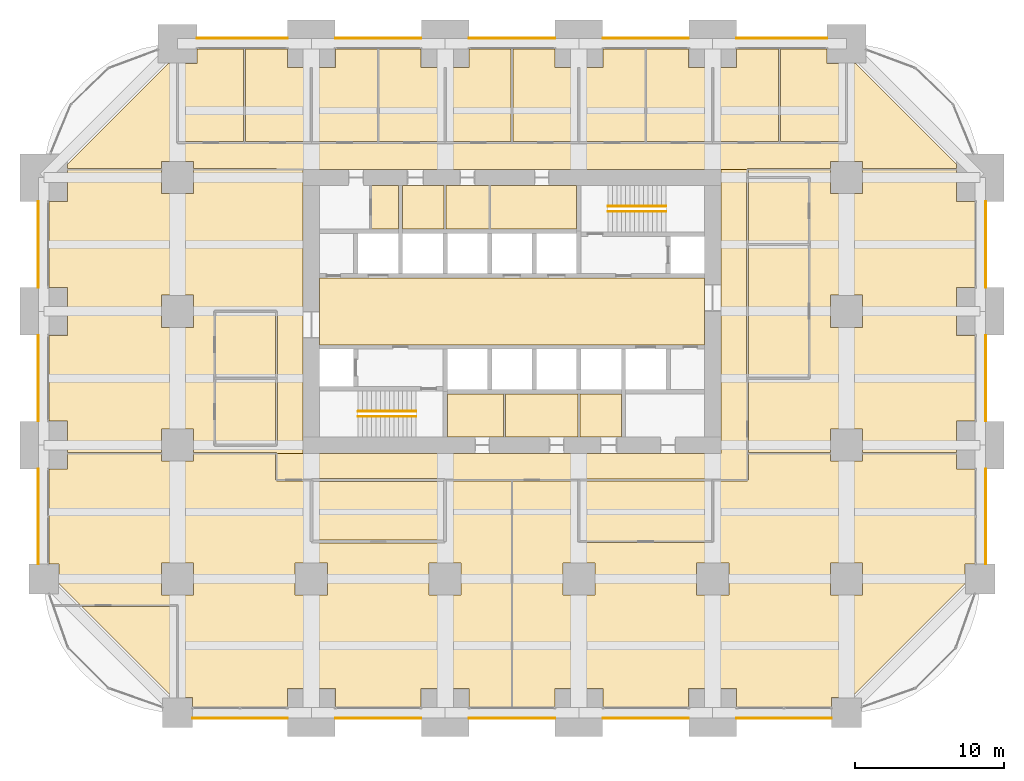
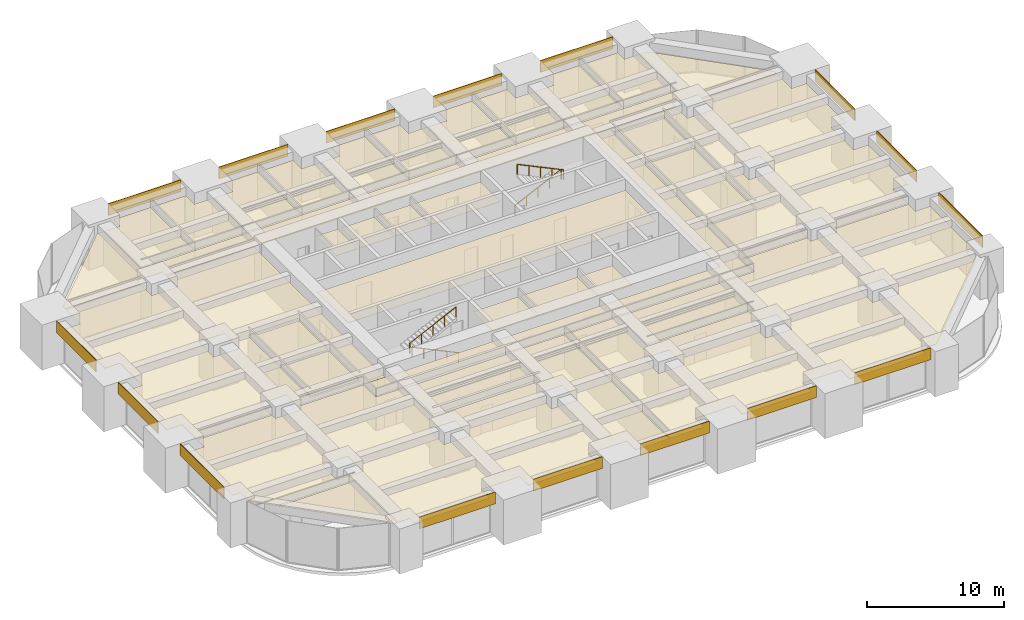
# One storey, part 41 of 41: 47 coverings, 4 railings.
"""IFC4 building model written with IfcOpenShell, lengths in metres."""

from ifc_helpers import new_model, si_unit, direction, frame, frame_2d, origin, origin_2d, place, context, subcontext, project, spatial, polyline, rectangle, circle, outline, extrude, material, layer, layer_set, type_object, element, save


model = new_model("IFC4")

# Units and contexts
model_context = context("Model", 3, precision=1e-05, world=origin(), true_north=direction((0.0, 1.0)))
body_context = subcontext(model_context, "Body", "Model", "MODEL_VIEW")
ifc_project = project(units=[si_unit("LENGTHUNIT", "METRE"), si_unit("AREAUNIT", "SQUARE_METRE"), si_unit("VOLUMEUNIT", "CUBIC_METRE"), si_unit("PLANEANGLEUNIT", "RADIAN"), si_unit("MASSUNIT", "GRAM", prefix="KILO")], contexts=[model_context])

# Site, building, storey
site_placement = place(None, origin())
site = spatial("IfcSite", under=ifc_project, at=site_placement, CompositionType="ELEMENT")
building_placement = place(site_placement, origin())
building = spatial("IfcBuilding", under=site, at=building_placement, Name="Zorevar Civic Tower", CompositionType="ELEMENT")
storey_placement = place(building_placement, frame((0.0, 0.0, 89.0)))
storey = spatial("IfcBuildingStorey", under=building, at=storey_placement, Name="L21", CompositionType="ELEMENT", Elevation=89.0)

# Railings
ifc_material_1 = material(Name="Black steel handrail", Category="steel")
railing_type = type_object("IfcRailingType", Name="Handrail HR1 900", PredefinedType="HANDRAIL", material=ifc_material_1)
railing_1_placement = place(storey_placement, frame((25.050048828125, 19.925048828125, 0.142822265625)))
element("IfcRailing", 1, at=railing_1_placement, inside=storey, type_object=railing_type, Name="Handrail HR1 ST1 L21", PredefinedType="HANDRAIL", context=body_context, shape_type="SweptSolid", body=[
    extrude(circle(Radius=0.02392578125, at=origin_2d()), frame((0.0, 0.0, 0.8759765625), z_axis=(-0.902863652845, 0.0, 0.429926998885), x_axis=(0.0, -1.0, 0.0)), (0.0, 0.0, 1.0), 4.31982421875),
    extrude(circle(Radius=0.02099609375, at=origin_2d()), origin(), (0.0, 0.0, 1.0), 0.851806640625),
    extrude(circle(Radius=0.02099609375, at=origin_2d()), frame((-0.97509765625, 0.0, 0.46435546875)), (0.0, 0.0, 1.0), 0.851806640625),
    extrude(circle(Radius=0.02099609375, at=origin_2d()), frame((-1.9501953125, 0.0, 0.9287109375)), (0.0, 0.0, 1.0), 0.851806640625),
    extrude(circle(Radius=0.02099609375, at=origin_2d()), frame((-2.925048828125, 0.0, 1.392822265625)), (0.0, 0.0, 1.0), 0.851806640625),
    extrude(circle(Radius=0.02099609375, at=origin_2d()), frame((-3.900146484375, 0.0, 1.857177734375)), (0.0, 0.0, 1.0), 0.851806640625),
])
for number, where, name in (
    (2, (21.14990234375, 20.27490234375, 2.142822265625), "Handrail HR1 ST1 L21"),
    (3, (37.949951171875, 34.074951171875, 0.142822265625), "Handrail HR1 ST2 L21"),
):
    element("IfcRailing", number, at=place(storey_placement, frame(where)), inside=storey, type_object=railing_type, Name=name, PredefinedType="HANDRAIL", context=body_context, shape_type="SweptSolid", body=[
        extrude(circle(Radius=0.02392578125, at=origin_2d()), frame((0.0, 0.0, 0.8759765625), z_axis=(0.902863652845, 0.0, 0.429926998885), x_axis=(0.0, 1.0, 0.0)), (0.0, 0.0, 1.0), 4.31982421875),
        extrude(circle(Radius=0.02099609375, at=origin_2d()), origin(), (0.0, 0.0, 1.0), 0.851806640625),
        extrude(circle(Radius=0.02099609375, at=origin_2d()), frame((0.97509765625, 0.0, 0.46435546875)), (0.0, 0.0, 1.0), 0.851806640625),
        extrude(circle(Radius=0.02099609375, at=origin_2d()), frame((1.9501953125, 0.0, 0.9287109375)), (0.0, 0.0, 1.0), 0.851806640625),
        extrude(circle(Radius=0.02099609375, at=origin_2d()), frame((2.925048828125, 0.0, 1.392822265625)), (0.0, 0.0, 1.0), 0.851806640625),
        extrude(circle(Radius=0.02099609375, at=origin_2d()), frame((3.900146484375, 0.0, 1.857177734375)), (0.0, 0.0, 1.0), 0.851806640625),
    ])
railing_2_placement = place(storey_placement, frame((41.85009765625, 33.72509765625, 2.142822265625)))
element("IfcRailing", 4, at=railing_2_placement, inside=storey, type_object=railing_type, Name="Handrail HR1 ST2 L21", PredefinedType="HANDRAIL", context=body_context, shape_type="SweptSolid", body=[
    extrude(circle(Radius=0.02392578125, at=origin_2d()), frame((0.0, 0.0, 0.8759765625), z_axis=(-0.902863652845, 0.0, 0.429926998885), x_axis=(0.0, -1.0, 0.0)), (0.0, 0.0, 1.0), 4.31982421875),
    extrude(circle(Radius=0.02099609375, at=origin_2d()), origin(), (0.0, 0.0, 1.0), 0.851806640625),
    extrude(circle(Radius=0.02099609375, at=origin_2d()), frame((-0.97509765625, 0.0, 0.46435546875)), (0.0, 0.0, 1.0), 0.851806640625),
    extrude(circle(Radius=0.02099609375, at=origin_2d()), frame((-1.9501953125, 0.0, 0.9287109375)), (0.0, 0.0, 1.0), 0.851806640625),
    extrude(circle(Radius=0.02099609375, at=origin_2d()), frame((-2.925048828125, 0.0, 1.392822265625)), (0.0, 0.0, 1.0), 0.851806640625),
    extrude(circle(Radius=0.02099609375, at=origin_2d()), frame((-3.900146484375, 0.0, 1.857177734375)), (0.0, 0.0, 1.0), 0.851806640625),
])

# Coverings
ifc_material_2 = material(Name="Moisture-resistant gypsum board")
ifc_layer_1 = layer(ifc_material_2, 0.012451171875)
ifc_layer_set_1 = layer_set([ifc_layer_1], Name="Moisture-resistant ceiling SC3")
covering_type_1 = type_object("IfcCoveringType", Name="Moisture-resistant ceiling SC3", PredefinedType="CEILING", material=ifc_layer_set_1)
covering_1_placement = place(storey_placement, frame((0.0, 0.0, 3.0)))
element("IfcCovering", 5, at=covering_1_placement, inside=storey, type_object=covering_type_1, Name="Ceiling L21-05", PredefinedType="CEILING", context=body_context, shape_type="SweptSolid", body=[
    extrude(outline(polyline([(30.925048828125, 18.550048828125), (30.925048828125, 21.449951171875), (27.14990234375, 21.449951171875), (27.14990234375, 18.550048828125), (30.925048828125, 18.550048828125)])), origin(), (0.0, 0.0, 1.0), 0.012451171875),
])
covering_2_placement = place(storey_placement, frame((0.0, 0.0, 3.0)))
element("IfcCovering", 6, at=covering_2_placement, inside=storey, type_object=covering_type_1, Name="Ceiling L21-06", PredefinedType="CEILING", context=body_context, shape_type="SweptSolid", body=[
    extrude(outline(polyline([(35.925048828125, 18.550048828125), (35.925048828125, 21.449951171875), (31.074951171875, 21.449951171875), (31.074951171875, 18.550048828125), (35.925048828125, 18.550048828125)])), origin(), (0.0, 0.0, 1.0), 0.012451171875),
])
covering_3_placement = place(storey_placement, frame((0.0, 0.0, 3.0)))
element("IfcCovering", 7, at=covering_3_placement, inside=storey, type_object=covering_type_1, Name="Ceiling L21-07", PredefinedType="CEILING", context=body_context, shape_type="SweptSolid", body=[
    extrude(outline(polyline([(38.85009765625, 18.550048828125), (38.85009765625, 21.449951171875), (36.074951171875, 21.449951171875), (36.074951171875, 18.550048828125), (38.85009765625, 18.550048828125)])), origin(), (0.0, 0.0, 1.0), 0.012451171875),
])
covering_4_placement = place(storey_placement, frame((0.0, 0.0, 3.0)))
element("IfcCovering", 8, at=covering_4_placement, inside=storey, type_object=covering_type_1, Name="Ceiling L21-10", PredefinedType="CEILING", context=body_context, shape_type="SweptSolid", body=[
    extrude(outline(polyline([(26.925048828125, 32.550048828125), (26.925048828125, 35.449951171875), (24.14990234375, 35.449951171875), (24.14990234375, 32.550048828125), (26.925048828125, 32.550048828125)])), origin(), (0.0, 0.0, 1.0), 0.012451171875),
])
ifc_material_3 = material(Name="Black anodised aluminium spandrel panel", Category="aluminium")
ifc_layer_2 = layer(ifc_material_3, 0.050048828125)
ifc_layer_set_2 = layer_set([ifc_layer_2], Name="Spandrel cladding SP1")
covering_type_2 = type_object("IfcCoveringType", Name="Spandrel cladding SP1", PredefinedType="CLADDING", material=ifc_layer_set_2)
covering_5_placement = place(storey_placement, frame((10.0, -0.375, 2.949951171875), z_axis=(0.0, 0.0, 1.0), x_axis=(1.0, 0.0, 0.0)))
element("IfcCovering", 9, at=covering_5_placement, inside=storey, type_object=covering_type_2, Name="Spandrel cladding L22", PredefinedType="CLADDING", context=body_context, shape_type="SweptSolid", body=[
    extrude(rectangle(XDim=6.39990234375, YDim=0.050048828125, at=frame_2d((3.199951171875, 0.0))), origin(), (0.0, 0.0, 1.0), 1.050048828125),
])
for number, where, z_axis, x_axis, name in (
    (10, (19.60009765625, -0.375, 2.949951171875), (0.0, 0.0, 1.0), (1.0, 0.0, 0.0), "Spandrel cladding L22"),
    (11, (28.60009765625, -0.375, 2.949951171875), (0.0, 0.0, 1.0), (1.0, 0.0, 0.0), "Spandrel cladding L22"),
    (12, (37.60009765625, -0.375, 2.949951171875), (0.0, 0.0, 1.0), (1.0, 0.0, 0.0), "Spandrel cladding L22"),
):
    element("IfcCovering", number, at=place(storey_placement, frame(where, z_axis=z_axis, x_axis=x_axis)), inside=storey, type_object=covering_type_2, Name=name, PredefinedType="CLADDING", context=body_context, shape_type="SweptSolid", body=[
        extrude(rectangle(XDim=5.7998046875, YDim=0.050048828125, at=frame_2d((2.89990234375, 0.0))), origin(), (0.0, 0.0, 1.0), 1.050048828125),
    ])
covering_6_placement = place(storey_placement, frame((46.60009765625, -0.375, 2.949951171875), z_axis=(0.0, 0.0, 1.0), x_axis=(1.0, 0.0, 0.0)))
element("IfcCovering", 13, at=covering_6_placement, inside=storey, type_object=covering_type_2, Name="Spandrel cladding L22", PredefinedType="CLADDING", context=body_context, shape_type="SweptSolid", body=[
    extrude(rectangle(XDim=6.39990234375, YDim=0.050048828125, at=frame_2d((3.199951171875, 0.0))), origin(), (0.0, 0.0, 1.0), 1.050048828125),
])
covering_7_placement = place(storey_placement, frame((10.300048828125, 45.375, 2.949951171875), z_axis=(0.0, 0.0, 1.0), x_axis=(1.0, 0.0, 0.0)))
element("IfcCovering", 14, at=covering_7_placement, inside=storey, type_object=covering_type_2, Name="Spandrel cladding L22", PredefinedType="CLADDING", context=body_context, shape_type="SweptSolid", body=[
    extrude(rectangle(XDim=6.099853515625, YDim=0.050048828125, at=frame_2d((3.0498046875, 0.0))), origin(), (0.0, 0.0, 1.0), 1.050048828125),
])
for number, where, z_axis, x_axis, name in (
    (15, (19.60009765625, 45.375, 2.949951171875), (0.0, 0.0, 1.0), (1.0, 0.0, 0.0), "Spandrel cladding L22"),
    (16, (28.60009765625, 45.375, 2.949951171875), (0.0, 0.0, 1.0), (1.0, 0.0, 0.0), "Spandrel cladding L22"),
    (17, (37.60009765625, 45.375, 2.949951171875), (0.0, 0.0, 1.0), (1.0, 0.0, 0.0), "Spandrel cladding L22"),
):
    element("IfcCovering", number, at=place(storey_placement, frame(where, z_axis=z_axis, x_axis=x_axis)), inside=storey, type_object=covering_type_2, Name=name, PredefinedType="CLADDING", context=body_context, shape_type="SweptSolid", body=[
        extrude(rectangle(XDim=5.7998046875, YDim=0.050048828125, at=frame_2d((2.89990234375, 0.0))), origin(), (0.0, 0.0, 1.0), 1.050048828125),
    ])
covering_8_placement = place(storey_placement, frame((46.60009765625, 45.375, 2.949951171875), z_axis=(0.0, 0.0, 1.0), x_axis=(1.0, 0.0, 0.0)))
element("IfcCovering", 18, at=covering_8_placement, inside=storey, type_object=covering_type_2, Name="Spandrel cladding L22", PredefinedType="CLADDING", context=body_context, shape_type="SweptSolid", body=[
    extrude(rectangle(XDim=6.099853515625, YDim=0.050048828125, at=frame_2d((3.0498046875, 0.0))), origin(), (0.0, 0.0, 1.0), 1.050048828125),
])
covering_9_placement = place(storey_placement, frame((-0.375, 10.0, 2.949951171875), z_axis=(0.0, 0.0, 1.0), x_axis=(0.0, 1.0, 0.0)))
element("IfcCovering", 19, at=covering_9_placement, inside=storey, type_object=covering_type_2, Name="Spandrel cladding L22", PredefinedType="CLADDING", context=body_context, shape_type="SweptSolid", body=[
    extrude(rectangle(XDim=6.39990234375, YDim=0.050048828125, at=frame_2d((3.199951171875, 0.0))), origin(), (0.0, 0.0, 1.0), 1.050048828125),
])
for number, where, z_axis, x_axis, name in (
    (20, (-0.375, 19.60009765625, 2.949951171875), (0.0, 0.0, 1.0), (0.0, 1.0, 0.0), "Spandrel cladding L22"),
    (21, (-0.375, 28.60009765625, 2.949951171875), (0.0, 0.0, 1.0), (0.0, 1.0, 0.0), "Spandrel cladding L22"),
):
    element("IfcCovering", number, at=place(storey_placement, frame(where, z_axis=z_axis, x_axis=x_axis)), inside=storey, type_object=covering_type_2, Name=name, PredefinedType="CLADDING", context=body_context, shape_type="SweptSolid", body=[
        extrude(rectangle(XDim=5.7998046875, YDim=0.050048828125, at=frame_2d((2.89990234375, 0.0))), origin(), (0.0, 0.0, 1.0), 1.050048828125),
    ])
covering_10_placement = place(storey_placement, frame((63.375, 10.0, 2.949951171875), z_axis=(0.0, 0.0, 1.0), x_axis=(0.0, 1.0, 0.0)))
element("IfcCovering", 22, at=covering_10_placement, inside=storey, type_object=covering_type_2, Name="Spandrel cladding L22", PredefinedType="CLADDING", context=body_context, shape_type="SweptSolid", body=[
    extrude(rectangle(XDim=6.39990234375, YDim=0.050048828125, at=frame_2d((3.199951171875, 0.0))), origin(), (0.0, 0.0, 1.0), 1.050048828125),
])
for number, where, z_axis, x_axis, name in (
    (23, (63.375, 19.60009765625, 2.949951171875), (0.0, 0.0, 1.0), (0.0, 1.0, 0.0), "Spandrel cladding L22"),
    (24, (63.375, 28.60009765625, 2.949951171875), (0.0, 0.0, 1.0), (0.0, 1.0, 0.0), "Spandrel cladding L22"),
):
    element("IfcCovering", number, at=place(storey_placement, frame(where, z_axis=z_axis, x_axis=x_axis)), inside=storey, type_object=covering_type_2, Name=name, PredefinedType="CLADDING", context=body_context, shape_type="SweptSolid", body=[
        extrude(rectangle(XDim=5.7998046875, YDim=0.050048828125, at=frame_2d((2.89990234375, 0.0))), origin(), (0.0, 0.0, 1.0), 1.050048828125),
    ])
ifc_material_4 = material(Name="Mineral fibre tiles on a concealed grid")
ifc_layer_3 = layer(ifc_material_4, 0.02001953125)
ifc_layer_set_3 = layer_set([ifc_layer_3], Name="Suspended ceiling SC1")
covering_type_3 = type_object("IfcCoveringType", Name="Suspended ceiling SC1", PredefinedType="CEILING", material=ifc_layer_set_3)
covering_11_placement = place(storey_placement, frame((0.0, 0.0, 3.0)))
element("IfcCovering", 25, at=covering_11_placement, inside=storey, type_object=covering_type_3, Name="Ceiling L21-08", PredefinedType="CEILING", context=body_context, shape_type="SweptSolid", body=[
    extrude(outline(polyline([(35.85009765625, 32.550048828125), (35.85009765625, 35.449951171875), (30.06005859375, 35.449951171875), (30.06005859375, 32.550048828125), (35.85009765625, 32.550048828125)])), origin(), (0.0, 0.0, 1.0), 0.02001953125),
])
covering_12_placement = place(storey_placement, frame((0.0, 0.0, 3.0)))
element("IfcCovering", 26, at=covering_12_placement, inside=storey, type_object=covering_type_3, Name="Ceiling L21-09", PredefinedType="CEILING", context=body_context, shape_type="SweptSolid", body=[
    extrude(outline(polyline([(29.93994140625, 32.550048828125), (29.93994140625, 35.449951171875), (27.074951171875, 35.449951171875), (27.074951171875, 32.550048828125), (29.93994140625, 32.550048828125)])), origin(), (0.0, 0.0, 1.0), 0.02001953125),
])
covering_13_placement = place(storey_placement, frame((0.0, 0.0, 3.0)))
element("IfcCovering", 27, at=covering_13_placement, inside=storey, type_object=covering_type_3, Name="Ceiling L21-12", PredefinedType="CEILING", context=body_context, shape_type="SweptSolid", body=[
    extrude(outline(polyline([(23.85009765625, 32.550048828125), (23.85009765625, 35.449951171875), (22.06005859375, 35.449951171875), (22.06005859375, 32.550048828125), (23.85009765625, 32.550048828125)])), origin(), (0.0, 0.0, 1.0), 0.02001953125),
])
covering_14_placement = place(storey_placement, frame((0.0, 0.0, 3.0)))
element("IfcCovering", 28, at=covering_14_placement, inside=storey, type_object=covering_type_3, Name="Ceiling L21-16", PredefinedType="CEILING", context=body_context, shape_type="SweptSolid", body=[
    extrude(outline(polyline([(44.449951171875, 24.75), (44.449951171875, 29.25), (18.550048828125, 29.25), (18.550048828125, 24.75), (44.449951171875, 24.75)])), origin(), (0.0, 0.0, 1.0), 0.02001953125),
])
covering_15_placement = place(storey_placement, frame((0.0, 0.0, 3.0)))
element("IfcCovering", 29, at=covering_15_placement, inside=storey, type_object=covering_type_3, Name="Ceiling L21-17", PredefinedType="CEILING", context=body_context, shape_type="SweptSolid", body=[
    extrude(outline(polyline([(9.06005859375, 38.409912109375), (9.06005859375, 43.68994140625), (10.31005859375, 43.68994140625), (10.31005859375, 44.64990234375), (13.43994140625, 44.64990234375), (13.43994140625, 38.409912109375), (9.06005859375, 38.409912109375)])), origin(), (0.0, 0.0, 1.0), 0.02001953125),
])
covering_16_placement = place(storey_placement, frame((0.0, 0.0, 3.0)))
element("IfcCovering", 30, at=covering_16_placement, inside=storey, type_object=covering_type_3, Name="Ceiling L21-18", PredefinedType="CEILING", context=body_context, shape_type="SweptSolid", body=[
    extrude(outline(polyline([(13.56005859375, 38.409912109375), (13.56005859375, 44.64990234375), (16.389892578125, 44.64990234375), (16.389892578125, 43.389892578125), (17.93994140625, 43.389892578125), (17.93994140625, 38.409912109375), (13.56005859375, 38.409912109375)])), origin(), (0.0, 0.0, 1.0), 0.02001953125),
])
covering_17_placement = place(storey_placement, frame((0.0, 0.0, 3.0)))
element("IfcCovering", 31, at=covering_17_placement, inside=storey, type_object=covering_type_3, Name="Ceiling L21-19", PredefinedType="CEILING", context=body_context, shape_type="SweptSolid", body=[
    extrude(outline(polyline([(18.06005859375, 38.409912109375), (18.06005859375, 43.389892578125), (19.610107421875, 43.389892578125), (19.610107421875, 44.64990234375), (22.43994140625, 44.64990234375), (22.43994140625, 38.409912109375), (18.06005859375, 38.409912109375)])), origin(), (0.0, 0.0, 1.0), 0.02001953125),
])
covering_18_placement = place(storey_placement, frame((0.0, 0.0, 3.0)))
element("IfcCovering", 32, at=covering_18_placement, inside=storey, type_object=covering_type_3, Name="Ceiling L21-20", PredefinedType="CEILING", context=body_context, shape_type="SweptSolid", body=[
    extrude(outline(polyline([(22.56005859375, 38.409912109375), (22.56005859375, 44.64990234375), (25.389892578125, 44.64990234375), (25.389892578125, 43.389892578125), (26.93994140625, 43.389892578125), (26.93994140625, 38.409912109375), (22.56005859375, 38.409912109375)])), origin(), (0.0, 0.0, 1.0), 0.02001953125),
])
covering_19_placement = place(storey_placement, frame((0.0, 0.0, 3.0)))
element("IfcCovering", 33, at=covering_19_placement, inside=storey, type_object=covering_type_3, Name="Ceiling L21-21", PredefinedType="CEILING", context=body_context, shape_type="SweptSolid", body=[
    extrude(outline(polyline([(27.06005859375, 38.409912109375), (27.06005859375, 43.389892578125), (28.610107421875, 43.389892578125), (28.610107421875, 44.64990234375), (31.43994140625, 44.64990234375), (31.43994140625, 38.409912109375), (27.06005859375, 38.409912109375)])), origin(), (0.0, 0.0, 1.0), 0.02001953125),
])
covering_20_placement = place(storey_placement, frame((0.0, 0.0, 3.0)))
element("IfcCovering", 34, at=covering_20_placement, inside=storey, type_object=covering_type_3, Name="Ceiling L21-22", PredefinedType="CEILING", context=body_context, shape_type="SweptSolid", body=[
    extrude(outline(polyline([(31.56005859375, 38.409912109375), (31.56005859375, 44.64990234375), (34.389892578125, 44.64990234375), (34.389892578125, 43.389892578125), (35.93994140625, 43.389892578125), (35.93994140625, 38.409912109375), (31.56005859375, 38.409912109375)])), origin(), (0.0, 0.0, 1.0), 0.02001953125),
])
covering_21_placement = place(storey_placement, frame((0.0, 0.0, 3.0)))
element("IfcCovering", 35, at=covering_21_placement, inside=storey, type_object=covering_type_3, Name="Ceiling L21-23", PredefinedType="CEILING", context=body_context, shape_type="SweptSolid", body=[
    extrude(outline(polyline([(36.06005859375, 38.409912109375), (36.06005859375, 43.389892578125), (37.610107421875, 43.389892578125), (37.610107421875, 44.64990234375), (40.43994140625, 44.64990234375), (40.43994140625, 38.409912109375), (36.06005859375, 38.409912109375)])), origin(), (0.0, 0.0, 1.0), 0.02001953125),
])
covering_22_placement = place(storey_placement, frame((0.0, 0.0, 3.0)))
element("IfcCovering", 36, at=covering_22_placement, inside=storey, type_object=covering_type_3, Name="Ceiling L21-24", PredefinedType="CEILING", context=body_context, shape_type="SweptSolid", body=[
    extrude(outline(polyline([(40.56005859375, 38.409912109375), (40.56005859375, 44.64990234375), (43.389892578125, 44.64990234375), (43.389892578125, 43.389892578125), (44.93994140625, 43.389892578125), (44.93994140625, 38.409912109375), (40.56005859375, 38.409912109375)])), origin(), (0.0, 0.0, 1.0), 0.02001953125),
])
covering_23_placement = place(storey_placement, frame((0.0, 0.0, 3.0)))
element("IfcCovering", 37, at=covering_23_placement, inside=storey, type_object=covering_type_3, Name="Ceiling L21-25", PredefinedType="CEILING", context=body_context, shape_type="SweptSolid", body=[
    extrude(outline(polyline([(45.06005859375, 38.409912109375), (45.06005859375, 43.389892578125), (46.610107421875, 43.389892578125), (46.610107421875, 44.64990234375), (49.43994140625, 44.64990234375), (49.43994140625, 38.409912109375), (45.06005859375, 38.409912109375)])), origin(), (0.0, 0.0, 1.0), 0.02001953125),
])
covering_24_placement = place(storey_placement, frame((0.0, 0.0, 3.0)))
element("IfcCovering", 38, at=covering_24_placement, inside=storey, type_object=covering_type_3, Name="Ceiling L21-26", PredefinedType="CEILING", context=body_context, shape_type="SweptSolid", body=[
    extrude(outline(polyline([(49.56005859375, 38.409912109375), (49.56005859375, 44.64990234375), (52.68994140625, 44.64990234375), (52.68994140625, 43.68994140625), (53.93994140625, 43.68994140625), (53.93994140625, 38.409912109375), (49.56005859375, 38.409912109375)])), origin(), (0.0, 0.0, 1.0), 0.02001953125),
])
covering_25_placement = place(storey_placement, frame((0.0, 0.0, 3.0)))
element("IfcCovering", 39, at=covering_25_placement, inside=storey, type_object=covering_type_3, Name="Ceiling L21-27", PredefinedType="CEILING", context=body_context, shape_type="SweptSolid", body=[
    extrude(outline(polyline([(18.10009765625, 11.60009765625), (18.10009765625, 15.550048828125), (26.89990234375, 15.550048828125), (26.89990234375, 11.60009765625), (18.10009765625, 11.60009765625)])), origin(), (0.0, 0.0, 1.0), 0.02001953125),
])
covering_26_placement = place(storey_placement, frame((0.0, 0.0, 3.0)))
element("IfcCovering", 40, at=covering_26_placement, inside=storey, type_object=covering_type_3, Name="Ceiling L21-28", PredefinedType="CEILING", context=body_context, shape_type="SweptSolid", body=[
    extrude(outline(polyline([(44.93994140625, 15.590087890625), (44.93994140625, 11.550048828125), (36.06005859375, 11.550048828125), (36.06005859375, 15.590087890625), (44.93994140625, 15.590087890625)])), origin(), (0.0, 0.0, 1.0), 0.02001953125),
])
covering_27_placement = place(storey_placement, frame((0.0, 0.0, 3.0)))
element("IfcCovering", 41, at=covering_27_placement, inside=storey, type_object=covering_type_3, Name="Ceiling L21-29", PredefinedType="CEILING", context=body_context, shape_type="SweptSolid", body=[
    extrude(outline(polyline([(15.590087890625, 22.43994140625), (15.590087890625, 18.06005859375), (11.56005859375, 18.06005859375), (11.56005859375, 22.43994140625), (15.590087890625, 22.43994140625)])), origin(), (0.0, 0.0, 1.0), 0.02001953125),
])
covering_28_placement = place(storey_placement, frame((0.0, 0.0, 3.0)))
element("IfcCovering", 42, at=covering_28_placement, inside=storey, type_object=covering_type_3, Name="Ceiling L21-30", PredefinedType="CEILING", context=body_context, shape_type="SweptSolid", body=[
    extrude(outline(polyline([(47.409912109375, 35.93994140625), (51.43994140625, 35.93994140625), (51.43994140625, 31.56005859375), (47.409912109375, 31.56005859375), (47.409912109375, 35.93994140625)])), origin(), (0.0, 0.0, 1.0), 0.02001953125),
])
covering_29_placement = place(storey_placement, frame((0.0, 0.0, 3.0)))
element("IfcCovering", 43, at=covering_29_placement, inside=storey, type_object=covering_type_3, Name="Ceiling L21-31", PredefinedType="CEILING", context=body_context, shape_type="SweptSolid", body=[
    extrude(outline(polyline([(51.43994140625, 31.43994140625), (51.43994140625, 22.56005859375), (47.409912109375, 22.56005859375), (47.409912109375, 31.43994140625), (51.43994140625, 31.43994140625)])), origin(), (0.0, 0.0, 1.0), 0.02001953125),
])
covering_30_placement = place(storey_placement, frame((0.0, 0.0, 3.0)))
element("IfcCovering", 44, at=covering_30_placement, inside=storey, type_object=covering_type_3, Name="Ceiling L21-32", PredefinedType="CEILING", context=body_context, shape_type="SweptSolid", body=[
    extrude(outline(polyline([(11.56005859375, 26.93994140625), (15.590087890625, 26.93994140625), (15.590087890625, 22.56005859375), (11.56005859375, 22.56005859375), (11.56005859375, 26.93994140625)])), origin(), (0.0, 0.0, 1.0), 0.02001953125),
])
covering_31_placement = place(storey_placement, frame((0.0, 0.0, 3.0)))
element("IfcCovering", 45, at=covering_31_placement, inside=storey, type_object=covering_type_3, Name="Ceiling L21-33", PredefinedType="CEILING", context=body_context, shape_type="SweptSolid", body=[
    extrude(outline(polyline([(8.949951171875, 7.14990234375), (8.949951171875, 1.010009765625), (8.697021484375, 1.010009765625), (2.55712890625, 7.14990234375), (8.949951171875, 7.14990234375)])), origin(), (0.0, 0.0, 1.0), 0.02001953125),
])
covering_32_placement = place(storey_placement, frame((0.0, 0.0, 3.0)))
element("IfcCovering", 46, at=covering_32_placement, inside=storey, type_object=covering_type_3, Name="Ceiling L21-34", PredefinedType="CEILING", context=body_context, shape_type="SweptSolid", body=[
    extrude(outline(polyline([(47.300048828125, 36.0), (47.2900390625, 36.0), (47.2900390625, 22.5), (47.300048828125, 22.5), (47.300048828125, 15.699951171875), (45.0, 15.699951171875), (45.0, 15.7099609375), (36.0, 15.7099609375), (36.0, 15.699951171875), (27.0, 15.699951171875), (27.0, 15.75), (18.0, 15.75), (18.0, 15.699951171875), (15.699951171875, 15.699951171875), (15.699951171875, 17.449951171875), (45.550048828125, 17.449951171875), (45.550048828125, 36.550048828125), (47.300048828125, 36.550048828125), (47.300048828125, 36.0)])), origin(), (0.0, 0.0, 1.0), 0.02001953125),
])
covering_33_placement = place(storey_placement, frame((0.0, 0.0, 3.0)))
element("IfcCovering", 47, at=covering_33_placement, inside=storey, type_object=covering_type_3, Name="Ceiling L21-35", PredefinedType="CEILING", context=body_context, shape_type="SweptSolid", body=[
    extrude(outline(polyline([(51.5, 36.06005859375), (47.39990234375, 36.06005859375), (47.39990234375, 36.5), (52.9150390625, 36.5), (52.9150390625, 34.9150390625), (55.0849609375, 34.9150390625), (55.0849609375, 36.5), (61.389892578125, 36.5), (61.389892578125, 34.389892578125), (62.64990234375, 34.389892578125), (62.64990234375, 28.610107421875), (61.389892578125, 28.610107421875), (61.389892578125, 25.389892578125), (62.64990234375, 25.389892578125), (62.64990234375, 19.610107421875), (61.389892578125, 19.610107421875), (61.389892578125, 17.5), (55.0849609375, 17.5), (55.0849609375, 19.0849609375), (52.9150390625, 19.0849609375), (52.9150390625, 17.5), (47.39990234375, 17.5), (47.39990234375, 22.43994140625), (51.5, 22.43994140625), (51.5, 22.5), (51.56005859375, 22.5), (51.56005859375, 36.0), (51.5, 36.0), (51.5, 36.06005859375)]), holes=[polyline([(55.0849609375, 28.0849609375), (52.9150390625, 28.0849609375), (52.9150390625, 25.9150390625), (55.0849609375, 25.9150390625), (55.0849609375, 28.0849609375)])]), origin(), (0.0, 0.0, 1.0), 0.02001953125),
])
covering_34_placement = place(storey_placement, frame((0.0, 0.0, 3.0)))
element("IfcCovering", 48, at=covering_34_placement, inside=storey, type_object=covering_type_3, Name="Ceiling L21-36", PredefinedType="CEILING", context=body_context, shape_type="SweptSolid", body=[
    extrude(outline(polyline([(8.93994140625, 43.68994140625), (8.93994140625, 38.35009765625), (9.0, 38.35009765625), (9.0, 38.2900390625), (54.0, 38.2900390625), (54.0, 38.35009765625), (54.06005859375, 38.35009765625), (54.06005859375, 43.68994140625), (54.602783203125, 43.68994140625), (61.389892578125, 36.90283203125), (61.389892578125, 36.60009765625), (55.0849609375, 36.60009765625), (55.0849609375, 37.0849609375), (52.9150390625, 37.0849609375), (52.9150390625, 36.60009765625), (47.35009765625, 36.60009765625), (47.35009765625, 36.550048828125), (15.64990234375, 36.550048828125), (15.64990234375, 36.60009765625), (10.0849609375, 36.60009765625), (10.0849609375, 37.0849609375), (7.9150390625, 37.0849609375), (7.9150390625, 36.60009765625), (1.610107421875, 36.60009765625), (1.610107421875, 36.90283203125), (8.397216796875, 43.68994140625), (8.93994140625, 43.68994140625)])), origin(), (0.0, 0.0, 1.0), 0.02001953125),
])
covering_35_placement = place(storey_placement, frame((0.0, 0.0, 3.0)))
element("IfcCovering", 49, at=covering_35_placement, inside=storey, type_object=covering_type_3, Name="Ceiling L21-37", PredefinedType="CEILING", context=body_context, shape_type="SweptSolid", body=[
    extrude(outline(polyline([(17.89990234375, 11.5), (18.0, 11.5), (18.0, 11.39990234375), (27.0, 11.39990234375), (27.0, 11.5), (27.10009765625, 11.5), (27.10009765625, 15.60009765625), (31.449951171875, 15.60009765625), (31.449951171875, 0.35009765625), (28.610107421875, 0.35009765625), (28.610107421875, 1.610107421875), (25.389892578125, 1.610107421875), (25.389892578125, 0.35009765625), (19.610107421875, 0.35009765625), (19.610107421875, 1.610107421875), (16.389892578125, 1.610107421875), (16.389892578125, 0.35009765625), (10.010009765625, 0.35009765625), (10.010009765625, 1.010009765625), (9.050048828125, 1.010009765625), (9.050048828125, 7.199951171875), (9.0, 7.199951171875), (9.0, 7.25), (2.45703125, 7.25), (1.010009765625, 8.697021484375), (1.010009765625, 10.010009765625), (0.35009765625, 10.010009765625), (0.35009765625, 16.389892578125), (1.610107421875, 16.389892578125), (1.610107421875, 17.39990234375), (7.9150390625, 17.39990234375), (7.9150390625, 16.9150390625), (10.0849609375, 16.9150390625), (10.0849609375, 17.39990234375), (15.60009765625, 17.39990234375), (15.60009765625, 15.64990234375), (15.64990234375, 15.64990234375), (15.64990234375, 15.60009765625), (17.89990234375, 15.60009765625), (17.89990234375, 11.5)]), holes=[polyline([(7.9150390625, 7.9150390625), (10.0849609375, 7.9150390625), (10.0849609375, 10.0849609375), (7.9150390625, 10.0849609375), (7.9150390625, 7.9150390625)]), polyline([(19.0849609375, 7.9150390625), (19.0849609375, 10.0849609375), (16.9150390625, 10.0849609375), (16.9150390625, 7.9150390625), (19.0849609375, 7.9150390625)]), polyline([(25.9150390625, 10.0849609375), (25.9150390625, 7.9150390625), (28.0849609375, 7.9150390625), (28.0849609375, 10.0849609375), (25.9150390625, 10.0849609375)])]), origin(), (0.0, 0.0, 1.0), 0.02001953125),
])
covering_36_placement = place(storey_placement, frame((0.0, 0.0, 3.0)))
element("IfcCovering", 50, at=covering_36_placement, inside=storey, type_object=covering_type_3, Name="Ceiling L21-38", PredefinedType="CEILING", context=body_context, shape_type="SweptSolid", body=[
    extrude(outline(polyline([(61.989990234375, 10.010009765625), (61.989990234375, 8.697021484375), (54.302978515625, 1.010009765625), (52.989990234375, 1.010009765625), (52.989990234375, 0.35009765625), (46.610107421875, 0.35009765625), (46.610107421875, 1.610107421875), (43.389892578125, 1.610107421875), (43.389892578125, 0.35009765625), (37.610107421875, 0.35009765625), (37.610107421875, 1.610107421875), (34.389892578125, 1.610107421875), (34.389892578125, 0.35009765625), (31.550048828125, 0.35009765625), (31.550048828125, 15.60009765625), (35.93994140625, 15.60009765625), (35.93994140625, 11.5), (36.0, 11.5), (36.0, 11.449951171875), (45.0, 11.449951171875), (45.0, 11.5), (45.06005859375, 11.5), (45.06005859375, 15.60009765625), (47.35009765625, 15.60009765625), (47.35009765625, 15.64990234375), (47.39990234375, 15.64990234375), (47.39990234375, 17.39990234375), (52.9150390625, 17.39990234375), (52.9150390625, 16.9150390625), (55.0849609375, 16.9150390625), (55.0849609375, 17.39990234375), (61.389892578125, 17.39990234375), (61.389892578125, 16.389892578125), (62.64990234375, 16.389892578125), (62.64990234375, 10.010009765625), (61.989990234375, 10.010009765625)]), holes=[polyline([(37.0849609375, 10.0849609375), (34.9150390625, 10.0849609375), (34.9150390625, 7.9150390625), (37.0849609375, 7.9150390625), (37.0849609375, 10.0849609375)]), polyline([(43.9150390625, 7.9150390625), (46.0849609375, 7.9150390625), (46.0849609375, 10.0849609375), (43.9150390625, 10.0849609375), (43.9150390625, 7.9150390625)]), polyline([(55.0849609375, 10.0849609375), (52.9150390625, 10.0849609375), (52.9150390625, 7.9150390625), (55.0849609375, 7.9150390625), (55.0849609375, 10.0849609375)])]), origin(), (0.0, 0.0, 1.0), 0.02001953125),
])
covering_37_placement = place(storey_placement, frame((0.0, 0.0, 3.0)))
element("IfcCovering", 51, at=covering_37_placement, inside=storey, type_object=covering_type_3, Name="Ceiling L21-39", PredefinedType="CEILING", context=body_context, shape_type="SweptSolid", body=[
    extrude(outline(polyline([(0.35009765625, 19.610107421875), (0.35009765625, 25.389892578125), (1.610107421875, 25.389892578125), (1.610107421875, 28.610107421875), (0.35009765625, 28.610107421875), (0.35009765625, 34.389892578125), (1.610107421875, 34.389892578125), (1.610107421875, 36.5), (7.9150390625, 36.5), (7.9150390625, 34.9150390625), (10.0849609375, 34.9150390625), (10.0849609375, 36.5), (15.64990234375, 36.5), (15.64990234375, 36.550048828125), (17.449951171875, 36.550048828125), (17.449951171875, 17.449951171875), (15.64990234375, 17.449951171875), (15.64990234375, 17.5), (10.0849609375, 17.5), (10.0849609375, 19.0849609375), (7.9150390625, 19.0849609375), (7.9150390625, 17.5), (1.610107421875, 17.5), (1.610107421875, 19.610107421875), (0.35009765625, 19.610107421875)]), holes=[polyline([(11.5, 18.0), (11.5, 17.93994140625), (15.64990234375, 17.93994140625), (15.64990234375, 18.0), (15.7099609375, 18.0), (15.7099609375, 27.0), (15.64990234375, 27.0), (15.64990234375, 27.06005859375), (11.5, 27.06005859375), (11.5, 27.0), (11.43994140625, 27.0), (11.43994140625, 18.0), (11.5, 18.0)]), polyline([(7.9150390625, 28.0849609375), (7.9150390625, 25.9150390625), (10.0849609375, 25.9150390625), (10.0849609375, 28.0849609375), (7.9150390625, 28.0849609375)])]), origin(), (0.0, 0.0, 1.0), 0.02001953125),
])

save(model, "model.ifc")
